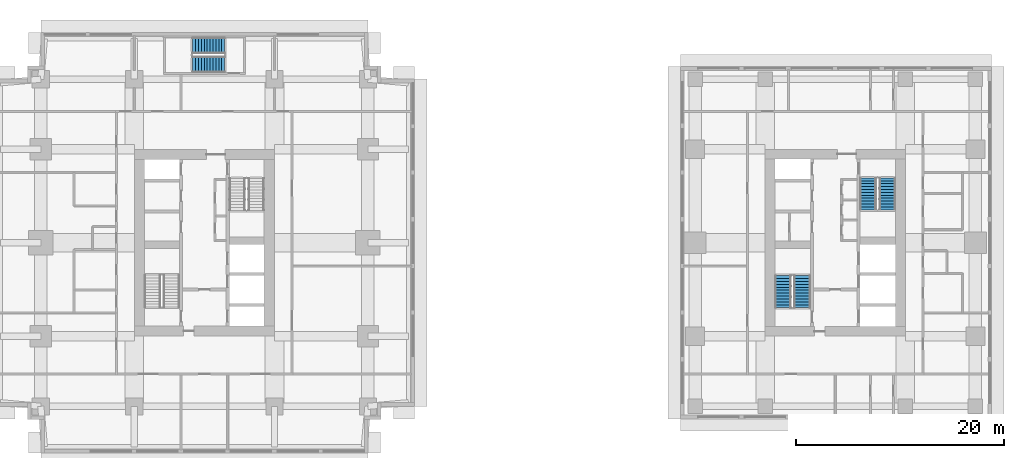
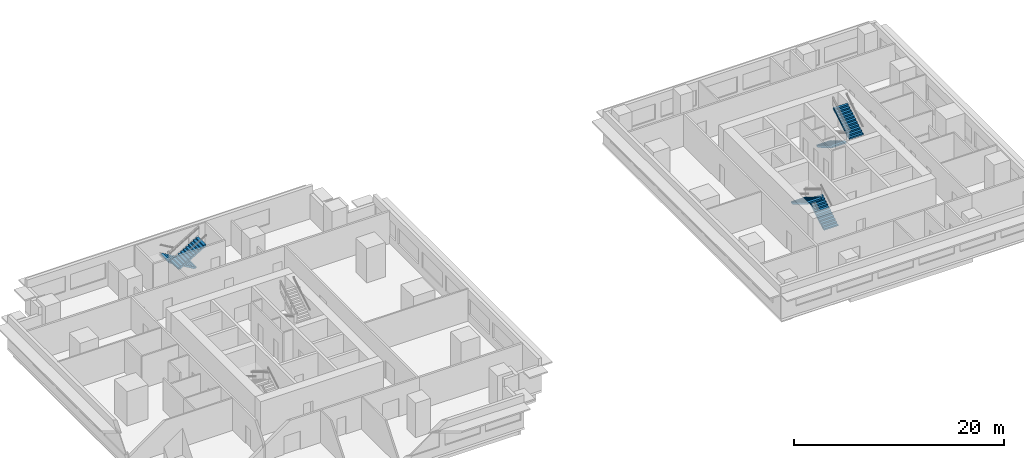
# One storey, part 9 of 11: 6 stair flights, 3 elements without a shape of their own.
"""IFC4 building model written with IfcOpenShell, lengths in metres."""

from ifc_helpers import new_model, si_unit, direction, frame, origin, place, context, subcontext, project, spatial, polyline, outline, extrude, material, type_object, element, aggregate, save


model = new_model("IFC4")

# Units and contexts
model_context = context("Model", 3, precision=1e-05, world=origin(), true_north=direction((0.0, 1.0)))
body_context = subcontext(model_context, "Body", "Model", "MODEL_VIEW")
ifc_project = project(units=[si_unit("LENGTHUNIT", "METRE"), si_unit("AREAUNIT", "SQUARE_METRE"), si_unit("VOLUMEUNIT", "CUBIC_METRE"), si_unit("PLANEANGLEUNIT", "RADIAN"), si_unit("MASSUNIT", "GRAM", prefix="KILO")], contexts=[model_context])

# Site, building, storey
site_placement = place(None, origin())
site = spatial("IfcSite", under=ifc_project, at=site_placement, CompositionType="ELEMENT")
building_placement = place(site_placement, origin())
building = spatial("IfcBuilding", under=site, at=building_placement, Name="Namib Vertical Campus", CompositionType="ELEMENT")
storey_placement = place(building_placement, frame((0.0, 0.0, 197.0)))
storey = spatial("IfcBuildingStorey", under=building, at=storey_placement, Name="L46", CompositionType="ELEMENT", Elevation=197.0)

# Stair, stair flights
ifc_material_1 = material(Name="Concrete C40/50 precast", Category="concrete")
stair_type_1 = type_object("IfcStairType", Name="Exit stair 4000 rise 24 risers 3350 wide", PredefinedType="HALF_TURN_STAIR", material=ifc_material_1)
stair_1_placement = place(storey_placement, origin())
stair_1 = element("IfcStair", 1, at=stair_1_placement, inside=storey, type_object=stair_type_1, Name="Exit stair A-S3 L46", PredefinedType="HALF_TURN_STAIR")
ifc_material_2 = material(Name="Concrete C40/50 precast", Category="concrete")
stair_flight_type_1 = type_object("IfcStairFlightType", Name="Stair flight 12 risers 167 1525 wide", PredefinedType="STRAIGHT", material=ifc_material_2)
stair_flight_1_placement = place(storey_placement, frame((22.199951171875, 39.237548828125, 0.0), z_axis=(0.0, 0.0, 1.0), x_axis=(-1.0, 0.0, 0.0)))
stair_flight_1 = element("IfcStairFlight", 2, at=stair_flight_1_placement, type_object=stair_flight_type_1, Name="A-S3 flight 1", NumberOfRisers=12, NumberOfTreads=11, PredefinedType="STRAIGHT", RiserHeight=0.166666667, TreadLength=0.28, context=body_context, shape_type="SweptSolid", body=[
    extrude(outline(polyline([(0.0, 0.0), (0.0, 0.166748046875), (0.280029296875, 0.166748046875), (0.280029296875, 0.333251953125), (0.56005859375, 0.333251953125), (0.56005859375, 0.5), (0.840087890625, 0.5), (0.840087890625, 0.666748046875), (1.1201171875, 0.666748046875), (1.1201171875, 0.833251953125), (1.39990234375, 0.833251953125), (1.39990234375, 1.0), (1.679931640625, 1.0), (1.679931640625, 1.166748046875), (1.9599609375, 1.166748046875), (1.9599609375, 1.333251953125), (2.239990234375, 1.333251953125), (2.239990234375, 1.5), (2.52001953125, 1.5), (2.52001953125, 1.666748046875), (2.800048828125, 1.666748046875), (2.800048828125, 1.833251953125), (3.080078125, 1.833251953125), (3.080078125, 2.0), (3.080078125, 1.658935546875), (0.29296875, 0.0), (0.0, 0.0)])), frame((0.0, 0.762451171875, 0.0), z_axis=(0.0, -1.0, 0.0), x_axis=(1.0, 0.0, 0.0)), (0.0, 0.0, 1.0), 1.52490234375),
])
stair_flight_2_placement = place(storey_placement, frame((19.1201171875, 37.41259765625, 2.0), z_axis=(0.0, 0.0, 1.0), x_axis=(1.0, 0.0, 0.0)))
stair_flight_2 = element("IfcStairFlight", 3, at=stair_flight_2_placement, type_object=stair_flight_type_1, Name="A-S3 flight 2", NumberOfRisers=12, NumberOfTreads=11, PredefinedType="STRAIGHT", RiserHeight=0.166666667, TreadLength=0.28, context=body_context, shape_type="SweptSolid", body=[
    extrude(outline(polyline([(0.0, 0.0), (0.0, 0.166748046875), (0.280029296875, 0.166748046875), (0.280029296875, 0.333251953125), (0.56005859375, 0.333251953125), (0.56005859375, 0.5), (0.840087890625, 0.5), (0.840087890625, 0.666748046875), (1.1201171875, 0.666748046875), (1.1201171875, 0.833251953125), (1.39990234375, 0.833251953125), (1.39990234375, 1.0), (1.679931640625, 1.0), (1.679931640625, 1.166748046875), (1.9599609375, 1.166748046875), (1.9599609375, 1.333251953125), (2.239990234375, 1.333251953125), (2.239990234375, 1.5), (2.52001953125, 1.5), (2.52001953125, 1.666748046875), (2.800048828125, 1.666748046875), (2.800048828125, 1.833251953125), (3.080078125, 1.833251953125), (3.080078125, 2.0), (3.080078125, 1.658935546875), (0.29296875, 0.0), (0.0, 0.0)])), frame((0.0, 0.762451171875, 0.0), z_axis=(0.0, -1.0, 0.0), x_axis=(1.0, 0.0, 0.0)), (0.0, 0.0, 1.0), 1.52490234375),
])
aggregate(stair_1, [stair_flight_1, stair_flight_2])

ifc_material_3 = material(Name="Concrete C40/50 precast", Category="concrete")
stair_type_2 = type_object("IfcStairType", Name="Exit stair 4000 rise 24 risers 3400 wide", PredefinedType="HALF_TURN_STAIR", material=ifc_material_3)
stair_2_placement = place(storey_placement, origin())
stair_2 = element("IfcStair", 4, at=stair_2_placement, inside=storey, type_object=stair_type_2, Name="Exit stair B-S1 L46", PredefinedType="HALF_TURN_STAIR")
ifc_material_4 = material(Name="Concrete C40/50 precast", Category="concrete")
stair_flight_type_2 = type_object("IfcStairFlightType", Name="Stair flight 12 risers 167 1550 wide", PredefinedType="STRAIGHT", material=ifc_material_4)
stair_flight_3_placement = place(storey_placement, frame((77.824951171875, 14.0, 0.0), z_axis=(0.0, 0.0, 1.0), x_axis=(0.0, 1.0, 0.0)))
stair_flight_3 = element("IfcStairFlight", 5, at=stair_flight_3_placement, type_object=stair_flight_type_2, Name="B-S1 flight 1", NumberOfRisers=12, NumberOfTreads=11, PredefinedType="STRAIGHT", RiserHeight=0.166666667, TreadLength=0.28, context=body_context, shape_type="SweptSolid", body=[
    extrude(outline(polyline([(0.0, 0.0), (0.0, 0.166748046875), (0.280029296875, 0.166748046875), (0.280029296875, 0.333251953125), (0.56005859375, 0.333251953125), (0.56005859375, 0.5), (0.840087890625, 0.5), (0.840087890625, 0.666748046875), (1.1201171875, 0.666748046875), (1.1201171875, 0.833251953125), (1.39990234375, 0.833251953125), (1.39990234375, 1.0), (1.679931640625, 1.0), (1.679931640625, 1.166748046875), (1.9599609375, 1.166748046875), (1.9599609375, 1.333251953125), (2.239990234375, 1.333251953125), (2.239990234375, 1.5), (2.52001953125, 1.5), (2.52001953125, 1.666748046875), (2.800048828125, 1.666748046875), (2.800048828125, 1.833251953125), (3.080078125, 1.833251953125), (3.080078125, 2.0), (3.080078125, 1.658935546875), (0.29296875, 0.0), (0.0, 0.0)])), frame((0.0, 0.77490234375, 0.0), z_axis=(0.0, -1.0, 0.0), x_axis=(1.0, 0.0, 0.0)), (0.0, 0.0, 1.0), 1.550048828125),
])
stair_flight_4_placement = place(storey_placement, frame((75.97509765625, 17.080078125, 2.0), z_axis=(0.0, 0.0, 1.0), x_axis=(0.0, -1.0, 0.0)))
stair_flight_4 = element("IfcStairFlight", 6, at=stair_flight_4_placement, type_object=stair_flight_type_2, Name="B-S1 flight 2", NumberOfRisers=12, NumberOfTreads=11, PredefinedType="STRAIGHT", RiserHeight=0.166666667, TreadLength=0.28, context=body_context, shape_type="SweptSolid", body=[
    extrude(outline(polyline([(0.0, 0.0), (0.0, 0.166748046875), (0.280029296875, 0.166748046875), (0.280029296875, 0.333251953125), (0.56005859375, 0.333251953125), (0.56005859375, 0.5), (0.840087890625, 0.5), (0.840087890625, 0.666748046875), (1.1201171875, 0.666748046875), (1.1201171875, 0.833251953125), (1.39990234375, 0.833251953125), (1.39990234375, 1.0), (1.679931640625, 1.0), (1.679931640625, 1.166748046875), (1.9599609375, 1.166748046875), (1.9599609375, 1.333251953125), (2.239990234375, 1.333251953125), (2.239990234375, 1.5), (2.52001953125, 1.5), (2.52001953125, 1.666748046875), (2.800048828125, 1.666748046875), (2.800048828125, 1.833251953125), (3.080078125, 1.833251953125), (3.080078125, 2.0), (3.080078125, 1.658935546875), (0.29296875, 0.0), (0.0, 0.0)])), frame((0.0, 0.77490234375, 0.0), z_axis=(0.0, -1.0, 0.0), x_axis=(1.0, 0.0, 0.0)), (0.0, 0.0, 1.0), 1.550048828125),
])
aggregate(stair_2, [stair_flight_3, stair_flight_4])

stair_3_placement = place(storey_placement, origin())
stair_3 = element("IfcStair", 7, at=stair_3_placement, inside=storey, type_object=stair_type_2, Name="Exit stair B-S2 L46", PredefinedType="HALF_TURN_STAIR")
stair_flight_5_placement = place(storey_placement, frame((84.175048828125, 26.5, 0.0), z_axis=(0.0, 0.0, 1.0), x_axis=(0.0, -1.0, 0.0)))
stair_flight_5 = element("IfcStairFlight", 8, at=stair_flight_5_placement, type_object=stair_flight_type_2, Name="B-S2 flight 1", NumberOfRisers=12, NumberOfTreads=11, PredefinedType="STRAIGHT", RiserHeight=0.166666667, TreadLength=0.28, context=body_context, shape_type="SweptSolid", body=[
    extrude(outline(polyline([(0.0, 0.0), (0.0, 0.166748046875), (0.280029296875, 0.166748046875), (0.280029296875, 0.333251953125), (0.56005859375, 0.333251953125), (0.56005859375, 0.5), (0.840087890625, 0.5), (0.840087890625, 0.666748046875), (1.1201171875, 0.666748046875), (1.1201171875, 0.833251953125), (1.39990234375, 0.833251953125), (1.39990234375, 1.0), (1.679931640625, 1.0), (1.679931640625, 1.166748046875), (1.9599609375, 1.166748046875), (1.9599609375, 1.333251953125), (2.239990234375, 1.333251953125), (2.239990234375, 1.5), (2.52001953125, 1.5), (2.52001953125, 1.666748046875), (2.800048828125, 1.666748046875), (2.800048828125, 1.833251953125), (3.080078125, 1.833251953125), (3.080078125, 2.0), (3.080078125, 1.658935546875), (0.29296875, 0.0), (0.0, 0.0)])), frame((0.0, 0.77490234375, 0.0), z_axis=(0.0, -1.0, 0.0), x_axis=(1.0, 0.0, 0.0)), (0.0, 0.0, 1.0), 1.550048828125),
])
stair_flight_6_placement = place(storey_placement, frame((86.02490234375, 23.419921875, 2.0), z_axis=(0.0, 0.0, 1.0), x_axis=(0.0, 1.0, 0.0)))
stair_flight_6 = element("IfcStairFlight", 9, at=stair_flight_6_placement, type_object=stair_flight_type_2, Name="B-S2 flight 2", NumberOfRisers=12, NumberOfTreads=11, PredefinedType="STRAIGHT", RiserHeight=0.166666667, TreadLength=0.28, context=body_context, shape_type="SweptSolid", body=[
    extrude(outline(polyline([(0.0, 0.0), (0.0, 0.166748046875), (0.280029296875, 0.166748046875), (0.280029296875, 0.333251953125), (0.56005859375, 0.333251953125), (0.56005859375, 0.5), (0.840087890625, 0.5), (0.840087890625, 0.666748046875), (1.1201171875, 0.666748046875), (1.1201171875, 0.833251953125), (1.39990234375, 0.833251953125), (1.39990234375, 1.0), (1.679931640625, 1.0), (1.679931640625, 1.166748046875), (1.9599609375, 1.166748046875), (1.9599609375, 1.333251953125), (2.239990234375, 1.333251953125), (2.239990234375, 1.5), (2.52001953125, 1.5), (2.52001953125, 1.666748046875), (2.800048828125, 1.666748046875), (2.800048828125, 1.833251953125), (3.080078125, 1.833251953125), (3.080078125, 2.0), (3.080078125, 1.658935546875), (0.29296875, 0.0), (0.0, 0.0)])), frame((0.0, 0.77490234375, 0.0), z_axis=(0.0, -1.0, 0.0), x_axis=(1.0, 0.0, 0.0)), (0.0, 0.0, 1.0), 1.550048828125),
])
aggregate(stair_3, [stair_flight_5, stair_flight_6])

save(model, "model.ifc")
